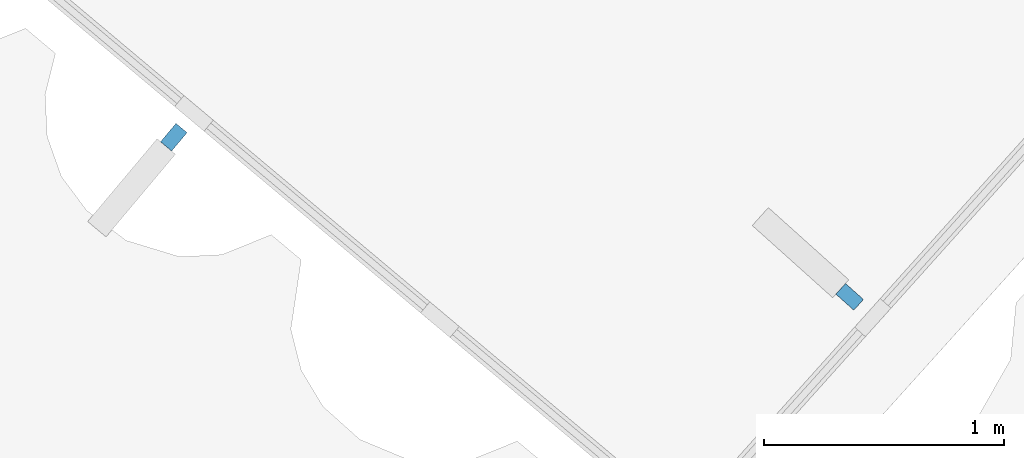
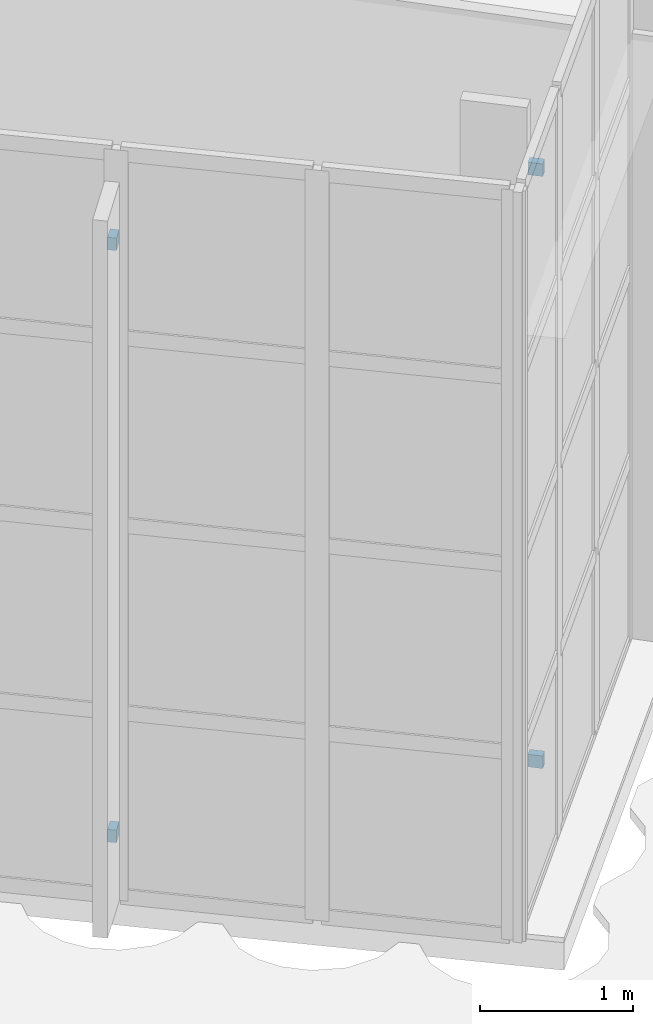
# One storey, part 108 of 155: 4 discrete accessories.
"""IFC4 building model written with IfcOpenShell, lengths in metres."""

from ifc_helpers import new_model, si_unit, direction, frame, origin, origin_2d, place, context, subcontext, project, spatial, rectangle, extrude, material, type_object, element, save


model = new_model("IFC4")

# Units and contexts
model_context = context("Model", 3, precision=1e-05, world=origin(), true_north=direction((0.0, 1.0)))
body_context = subcontext(model_context, "Body", "Model", "MODEL_VIEW")
ifc_project = project(units=[si_unit("LENGTHUNIT", "METRE"), si_unit("AREAUNIT", "SQUARE_METRE"), si_unit("VOLUMEUNIT", "CUBIC_METRE"), si_unit("PLANEANGLEUNIT", "RADIAN"), si_unit("MASSUNIT", "GRAM", prefix="KILO")], contexts=[model_context])

# Site, building, storey
site_placement = place(None, origin())
site = spatial("IfcSite", under=ifc_project, at=site_placement, CompositionType="ELEMENT")
building_placement = place(site_placement, origin())
building = spatial("IfcBuilding", under=site, at=building_placement, Name="Lunette Opera House", CompositionType="ELEMENT")
storey_placement = place(building_placement, origin())
storey = spatial("IfcBuildingStorey", under=building, at=storey_placement, Name="L00", CompositionType="ELEMENT", Elevation=0.0)

# Discrete accessories
ifc_material = material(Name="Galvanised steel", Category="steel")
discrete_accessory_type = type_object("IfcDiscreteAccessoryType", Name="FIN BRACKET STEEL", PredefinedType="BRACKET", material=ifc_material)
for number, where, z_axis, x_axis, name in (
    (1, (56.618896484375, 34.572998046875, 0.56494140625), (0.0, 0.0, 1.0), (-0.74421712619, 0.667937773363, 0.0), "Fin bracket FC-X2161 2 1"),
    (2, (56.618896484375, 34.572998046875, 5.300048828125), (0.0, 0.0, 1.0), (-0.74421712619, 0.667937773363, 0.0), "Fin bracket FC-X2161 2 2"),
    (3, (53.802978515625, 35.238037109375, 0.56494140625), (0.0, 0.0, 1.0), (-0.642827718799, -0.766010785788, 0.0), "Fin bracket FC-X2162 2 1"),
    (4, (53.802978515625, 35.238037109375, 5.300048828125), (0.0, 0.0, 1.0), (-0.642827718799, -0.766010785788, 0.0), "Fin bracket FC-X2162 2 2"),
):
    element("IfcDiscreteAccessory", number, at=place(storey_placement, frame(where, z_axis=z_axis, x_axis=x_axis)), inside=storey, type_object=discrete_accessory_type, Name=name, PredefinedType="BRACKET", context=body_context, shape_type="SweptSolid", body=[
        extrude(rectangle(XDim=0.10009765625, YDim=0.06005859375, at=origin_2d()), origin(), (0.0, 0.0, 1.0), 0.10009765625),
    ])

save(model, "model.ifc")
